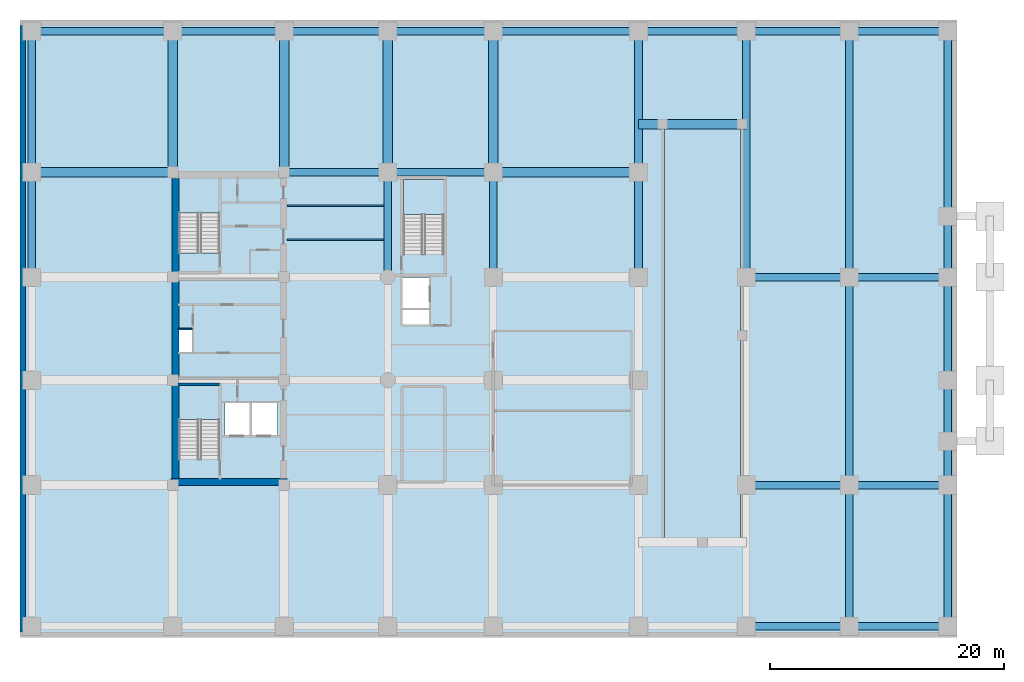
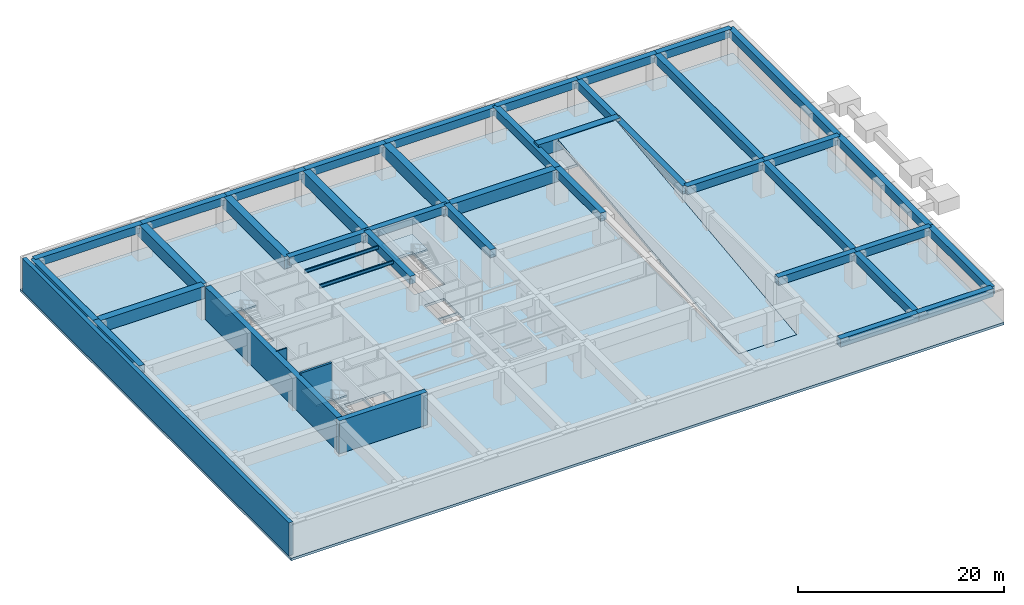
# One storey, part 2 of 7: 38 beams, 5 slabs, 5 walls, 3 elements without a shape of their own.
"""IFC4 building model written with IfcOpenShell, lengths in metres."""

from ifc_helpers import new_model, si_unit, direction, frame, frame_2d, origin, origin_2d, place, context, subcontext, project, spatial, polyline, rectangle, i_section, outline, extrude, material, layer, layer_set, material_profile, profile_set, type_object, element, aggregate, save


model = new_model("IFC4")

# Units and contexts
model_context = context("Model", 3, precision=1e-05, world=origin(), true_north=direction((0.0, 1.0)))
body_context = subcontext(model_context, "Body", "Model", "MODEL_VIEW")
ifc_project = project(units=[si_unit("LENGTHUNIT", "METRE"), si_unit("AREAUNIT", "SQUARE_METRE"), si_unit("VOLUMEUNIT", "CUBIC_METRE"), si_unit("PLANEANGLEUNIT", "RADIAN"), si_unit("MASSUNIT", "GRAM", prefix="KILO")], contexts=[model_context])

# Site, building, storey
site_placement = place(None, origin())
site = spatial("IfcSite", under=ifc_project, at=site_placement, CompositionType="ELEMENT")
building_placement = place(site_placement, origin())
building = spatial("IfcBuilding", under=site, at=building_placement, Name="Kundavana Baori Tower", CompositionType="ELEMENT")
storey_placement = place(building_placement, frame((0.0, 0.0, -4.199951171875)))
storey = spatial("IfcBuildingStorey", under=building, at=storey_placement, Name="B01", CompositionType="ELEMENT", Elevation=-4.199951171875)

# Beams
ifc_material_1 = material(Name="Structural Steel S355JR", Category="steel")
ifc_material_profile_1 = material_profile(ifc_material_1, i_section(OverallWidth=0.139892578125, OverallDepth=0.39990234375, WebThickness=0.0087890625, FlangeThickness=0.01611328125, FilletRadius=0.013916015625, at=origin_2d()), Name="ISMB 400")
ifc_profile_set_1 = profile_set([ifc_material_profile_1], Name="Structural Steel S355JR")
beam_type_1 = type_object("IfcBeamType", Name="BM-JST-400", PredefinedType="JOIST", material=ifc_profile_set_1)
for number, where, z_axis, x_axis, name in (
    (1, (25.179931640625, 36.199951171875, 3.699951171875), (1.0, 0.0, 0.0), (0.0, 1.0, 0.0), "B01 Central Bay Composite Floor Joist C3"),
    (2, (25.179931640625, 39.10009765625, 3.699951171875), (1.0, 0.0, 0.0), (0.0, 1.0, 0.0), "B01 Central Bay Composite Floor Joist C4"),
):
    element("IfcBeam", number, at=place(storey_placement, frame(where, z_axis=z_axis, x_axis=x_axis)), inside=storey, type_object=beam_type_1, Name=name, PredefinedType="JOIST", context=body_context, shape_type="SweptSolid", body=[
        extrude(i_section(OverallWidth=0.139892578125, OverallDepth=0.39990234375, WebThickness=0.0087890625, FlangeThickness=0.01611328125, FilletRadius=0.013916015625, at=origin_2d()), origin(), (0.0, 0.0, 1.0), 8.295166015625),
    ])
ifc_material_2 = material(Name="Concrete C50/60", Category="concrete")
ifc_material_profile_2 = material_profile(ifc_material_2, rectangle(XDim=0.64990234375, YDim=0.949951171875, at=origin_2d()), Name="RC BM 650x950")
ifc_profile_set_2 = profile_set([ifc_material_profile_2], Name="Concrete C50/60")
beam_type_2 = type_object("IfcBeamType", Name="BM-RC-950", PredefinedType="BEAM", material=ifc_profile_set_2)
beam_1_placement = place(storey_placement, frame((24.949951171875, 41.949951171875, 3.425048828125), z_axis=(1.0, 0.0, 0.0), x_axis=(0.0, 1.0, 0.0)))
element("IfcBeam", 3, at=beam_1_placement, inside=storey, type_object=beam_type_2, Name="B01 Primary Grid Girder GX-4-2", PredefinedType="BEAM", context=body_context, shape_type="SweptSolid", body=[
    extrude(rectangle(XDim=0.64990234375, YDim=0.949951171875, at=origin_2d()), origin(), (0.0, 0.0, 1.0), 8.85009765625),
])
beam_2_placement = place(storey_placement, frame((33.800048828125, 41.949951171875, 3.425048828125), z_axis=(1.0, 0.0, 0.0), x_axis=(0.0, 1.0, 0.0)))
element("IfcBeam", 4, at=beam_2_placement, inside=storey, type_object=beam_type_2, Name="B01 Primary Grid Girder GX-4-3", PredefinedType="BEAM", context=body_context, shape_type="SweptSolid", body=[
    extrude(rectangle(XDim=0.64990234375, YDim=0.949951171875, at=origin_2d()), origin(), (0.0, 0.0, 1.0), 9.0),
])
for number, where, z_axis, x_axis, name in (
    (5, (33.800048828125, 33.0, 3.425048828125), (0.0, 1.0, 0.0), (-1.0, 0.0, 0.0), "B01 Primary Grid Girder GY-3-3"),
    (6, (42.800048828125, 33.0, 3.425048828125), (0.0, 1.0, 0.0), (-1.0, 0.0, 0.0), "B01 Primary Grid Girder GY-4-3"),
):
    element("IfcBeam", number, at=place(storey_placement, frame(where, z_axis=z_axis, x_axis=x_axis)), inside=storey, type_object=beam_type_2, Name=name, PredefinedType="BEAM", context=body_context, shape_type="SweptSolid", body=[
        extrude(rectangle(XDim=0.64990234375, YDim=0.949951171875, at=origin_2d()), origin(), (0.0, 0.0, 1.0), 8.949951171875),
    ])
beam_3_placement = place(storey_placement, frame((55.199951171875, 54.0, 3.425048828125), z_axis=(1.0, 0.0, 0.0), x_axis=(0.0, 1.0, 0.0)))
element("IfcBeam", 7, at=beam_3_placement, inside=storey, type_object=beam_type_2, Name="B01 East Basement Wing Girder 1-4", PredefinedType="BEAM", context=body_context, shape_type="SweptSolid", body=[
    extrude(rectangle(XDim=0.64990234375, YDim=0.949951171875, at=origin_2d()), origin(), (0.0, 0.0, 1.0), 9.199951171875),
])
for number, where, z_axis, x_axis, name in (
    (8, (64.39990234375, 3.199951171875, 3.425048828125), (1.0, 0.0, 0.0), (0.0, 1.0, 0.0), "B01 East Basement Wing Girder 2-1"),
    (9, (64.39990234375, 15.25, 3.425048828125), (1.0, 0.0, 0.0), (0.0, 1.0, 0.0), "B01 East Basement Wing Girder 2-2"),
    (10, (64.39990234375, 33.0, 3.425048828125), (1.0, 0.0, 0.0), (0.0, 1.0, 0.0), "B01 East Basement Wing Girder 2-3"),
    (11, (64.39990234375, 54.0, 3.425048828125), (1.0, 0.0, 0.0), (0.0, 1.0, 0.0), "B01 East Basement Wing Girder 2-4"),
):
    element("IfcBeam", number, at=place(storey_placement, frame(where, z_axis=z_axis, x_axis=x_axis)), inside=storey, type_object=beam_type_2, Name=name, PredefinedType="BEAM", context=body_context, shape_type="SweptSolid", body=[
        extrude(rectangle(XDim=0.64990234375, YDim=0.949951171875, at=origin_2d()), origin(), (0.0, 0.0, 1.0), 8.800048828125),
    ])
for number, where, z_axis, x_axis, name in (
    (12, (73.199951171875, 3.199951171875, 3.425048828125), (1.0, 0.0, 0.0), (0.0, 1.0, 0.0), "B01 East Basement Wing Girder 3-1"),
    (13, (73.199951171875, 15.25, 3.425048828125), (1.0, 0.0, 0.0), (0.0, 1.0, 0.0), "B01 East Basement Wing Girder 3-2"),
    (14, (73.199951171875, 33.0, 3.425048828125), (1.0, 0.0, 0.0), (0.0, 1.0, 0.0), "B01 East Basement Wing Girder 3-3"),
    (15, (73.199951171875, 54.0, 3.425048828125), (1.0, 0.0, 0.0), (0.0, 1.0, 0.0), "B01 East Basement Wing Girder 3-4"),
):
    element("IfcBeam", number, at=place(storey_placement, frame(where, z_axis=z_axis, x_axis=x_axis)), inside=storey, type_object=beam_type_2, Name=name, PredefinedType="BEAM", context=body_context, shape_type="SweptSolid", body=[
        extrude(rectangle(XDim=0.64990234375, YDim=0.949951171875, at=origin_2d()), origin(), (0.0, 0.0, 1.0), 8.400146484375),
    ])
beam_4_placement = place(storey_placement, frame((64.39990234375, 33.0, 3.425048828125), z_axis=(0.0, 1.0, 0.0), x_axis=(-1.0, 0.0, 0.0)))
element("IfcBeam", 16, at=beam_4_placement, inside=storey, type_object=beam_type_2, Name="B01 East Wing Transverse Girder 1-3", PredefinedType="BEAM", context=body_context, shape_type="SweptSolid", body=[
    extrude(rectangle(XDim=0.64990234375, YDim=0.949951171875, at=origin_2d()), origin(), (0.0, 0.0, 1.0), 21.0),
])
beam_5_placement = place(storey_placement, frame((73.199951171875, 3.199951171875, 3.425048828125), z_axis=(0.0, 1.0, 0.0), x_axis=(-1.0, 0.0, 0.0)))
element("IfcBeam", 17, at=beam_5_placement, inside=storey, type_object=beam_type_2, Name="B01 East Wing Transverse Girder 2-1", PredefinedType="BEAM", context=body_context, shape_type="SweptSolid", body=[
    extrude(rectangle(XDim=0.64990234375, YDim=0.949951171875, at=origin_2d()), origin(), (0.0, 0.0, 1.0), 12.050048828125),
])
beam_6_placement = place(storey_placement, frame((73.199951171875, 15.25, 3.425048828125), z_axis=(0.0, 1.0, 0.0), x_axis=(-1.0, 0.0, 0.0)))
element("IfcBeam", 18, at=beam_6_placement, inside=storey, type_object=beam_type_2, Name="B01 East Wing Transverse Girder 2-2", PredefinedType="BEAM", context=body_context, shape_type="SweptSolid", body=[
    extrude(rectangle(XDim=0.64990234375, YDim=0.949951171875, at=origin_2d()), origin(), (0.0, 0.0, 1.0), 17.75),
])
beam_7_placement = place(storey_placement, frame((73.199951171875, 33.0, 3.425048828125), z_axis=(0.0, 1.0, 0.0), x_axis=(-1.0, 0.0, 0.0)))
element("IfcBeam", 19, at=beam_7_placement, inside=storey, type_object=beam_type_2, Name="B01 East Wing Transverse Girder 2-3", PredefinedType="BEAM", context=body_context, shape_type="SweptSolid", body=[
    extrude(rectangle(XDim=0.64990234375, YDim=0.949951171875, at=origin_2d()), origin(), (0.0, 0.0, 1.0), 21.0),
])
beam_8_placement = place(storey_placement, frame((81.60009765625, 3.199951171875, 3.425048828125), z_axis=(0.0, 1.0, 0.0), x_axis=(-1.0, 0.0, 0.0)))
element("IfcBeam", 20, at=beam_8_placement, inside=storey, type_object=beam_type_2, Name="B01 East Wing Transverse Girder 3-1", PredefinedType="BEAM", context=body_context, shape_type="SweptSolid", body=[
    extrude(rectangle(XDim=0.64990234375, YDim=0.949951171875, at=origin_2d()), origin(), (0.0, 0.0, 1.0), 12.050048828125),
])
beam_9_placement = place(storey_placement, frame((81.60009765625, 15.25, 3.425048828125), z_axis=(0.0, 1.0, 0.0), x_axis=(-1.0, 0.0, 0.0)))
element("IfcBeam", 21, at=beam_9_placement, inside=storey, type_object=beam_type_2, Name="B01 East Wing Transverse Girder 3-2", PredefinedType="BEAM", context=body_context, shape_type="SweptSolid", body=[
    extrude(rectangle(XDim=0.64990234375, YDim=0.949951171875, at=origin_2d()), origin(), (0.0, 0.0, 1.0), 17.75),
])
beam_10_placement = place(storey_placement, frame((81.60009765625, 33.0, 3.425048828125), z_axis=(0.0, 1.0, 0.0), x_axis=(-1.0, 0.0, 0.0)))
element("IfcBeam", 22, at=beam_10_placement, inside=storey, type_object=beam_type_2, Name="B01 East Wing Transverse Girder 3-3", PredefinedType="BEAM", context=body_context, shape_type="SweptSolid", body=[
    extrude(rectangle(XDim=0.64990234375, YDim=0.949951171875, at=origin_2d()), origin(), (0.0, 0.0, 1.0), 21.0),
])
beam_11_placement = place(storey_placement, frame((3.39990234375, 54.0, 3.425048828125), z_axis=(1.0, 0.0, 0.0), x_axis=(0.0, 1.0, 0.0)))
element("IfcBeam", 23, at=beam_11_placement, inside=storey, type_object=beam_type_2, Name="B01 Perimeter Frame Ring Beam N1", PredefinedType="BEAM", context=body_context, shape_type="SweptSolid", body=[
    extrude(rectangle(XDim=0.64990234375, YDim=0.949951171875, at=origin_2d()), origin(), (0.0, 0.0, 1.0), 12.050048828125),
])
beam_12_placement = place(storey_placement, frame((15.449951171875, 54.0, 3.425048828125), z_axis=(1.0, 0.0, 0.0), x_axis=(0.0, 1.0, 0.0)))
element("IfcBeam", 24, at=beam_12_placement, inside=storey, type_object=beam_type_2, Name="B01 Perimeter Frame Ring Beam N2", PredefinedType="BEAM", context=body_context, shape_type="SweptSolid", body=[
    extrude(rectangle(XDim=0.64990234375, YDim=0.949951171875, at=origin_2d()), origin(), (0.0, 0.0, 1.0), 9.5),
])
beam_13_placement = place(storey_placement, frame((24.949951171875, 54.0, 3.425048828125), z_axis=(1.0, 0.0, 0.0), x_axis=(0.0, 1.0, 0.0)))
element("IfcBeam", 25, at=beam_13_placement, inside=storey, type_object=beam_type_2, Name="B01 Perimeter Frame Ring Beam N3", PredefinedType="BEAM", context=body_context, shape_type="SweptSolid", body=[
    extrude(rectangle(XDim=0.64990234375, YDim=0.949951171875, at=origin_2d()), origin(), (0.0, 0.0, 1.0), 8.85009765625),
])
beam_14_placement = place(storey_placement, frame((33.800048828125, 54.0, 3.425048828125), z_axis=(1.0, 0.0, 0.0), x_axis=(0.0, 1.0, 0.0)))
element("IfcBeam", 26, at=beam_14_placement, inside=storey, type_object=beam_type_2, Name="B01 Perimeter Frame Ring Beam N4", PredefinedType="BEAM", context=body_context, shape_type="SweptSolid", body=[
    extrude(rectangle(XDim=0.64990234375, YDim=0.949951171875, at=origin_2d()), origin(), (0.0, 0.0, 1.0), 9.0),
])
beam_15_placement = place(storey_placement, frame((42.800048828125, 54.0, 3.425048828125), z_axis=(1.0, 0.0, 0.0), x_axis=(0.0, 1.0, 0.0)))
element("IfcBeam", 27, at=beam_15_placement, inside=storey, type_object=beam_type_2, Name="B01 Perimeter Frame Ring Beam N5", PredefinedType="BEAM", context=body_context, shape_type="SweptSolid", body=[
    extrude(rectangle(XDim=0.64990234375, YDim=0.949951171875, at=origin_2d()), origin(), (0.0, 0.0, 1.0), 12.39990234375),
])
for number, where, z_axis, x_axis, name in (
    (28, (3.39990234375, 33.0, 3.425048828125), (0.0, 1.0, 0.0), (-1.0, 0.0, 0.0), "B01 Perimeter Frame Ring Beam W3"),
    (29, (55.199951171875, 33.0, 3.425048828125), (0.0, 1.0, 0.0), (-1.0, 0.0, 0.0), "B01 Perimeter Frame Ring Beam E3"),
):
    element("IfcBeam", number, at=place(storey_placement, frame(where, z_axis=z_axis, x_axis=x_axis)), inside=storey, type_object=beam_type_2, Name=name, PredefinedType="BEAM", context=body_context, shape_type="SweptSolid", body=[
        extrude(rectangle(XDim=0.64990234375, YDim=0.949951171875, at=origin_2d()), origin(), (0.0, 0.0, 1.0), 8.949951171875),
    ])
for number, where, z_axis, x_axis, name in (
    (30, (3.39990234375, 54.0, 3.425048828125), (0.0, -1.0, 0.0), (1.0, 0.0, 0.0), "B01 Notched Corner Perimeter Beam NW"),
    (31, (55.199951171875, 54.0, 3.425048828125), (0.0, -1.0, 0.0), (1.0, 0.0, 0.0), "B01 Notched Corner Perimeter Beam NE"),
):
    element("IfcBeam", number, at=place(storey_placement, frame(where, z_axis=z_axis, x_axis=x_axis)), inside=storey, type_object=beam_type_2, Name=name, PredefinedType="BEAM", context=body_context, shape_type="SweptSolid", body=[
        extrude(rectangle(XDim=0.64990234375, YDim=0.949951171875, at=origin_2d()), origin(), (0.0, 0.0, 1.0), 12.050048828125),
    ])
ifc_material_3 = material(Name="Concrete C50/60", Category="concrete")
ifc_material_profile_3 = material_profile(ifc_material_3, rectangle(XDim=0.800048828125, YDim=1.449951171875, at=origin_2d()), Name="BM-TG-1")
ifc_profile_set_3 = profile_set([ifc_material_profile_3], Name="Concrete C50/60")
beam_type_3 = type_object("IfcBeamType", Name="BM-TG-1", PredefinedType="USERDEFINED", material=ifc_profile_set_3)
beam_16_placement = place(storey_placement, frame((55.199951171875, 46.06005859375, 3.474853515625), z_axis=(1.0, 0.0, 0.0), x_axis=(0.0, 1.0, 0.0)))
element("IfcBeam", 32, at=beam_16_placement, inside=storey, type_object=beam_type_3, Name="B01 Ramp Shaft North Transfer Girder", ObjectType="TRANSFER GIRDER", PredefinedType="USERDEFINED", context=body_context, shape_type="SweptSolid", body=[
    extrude(rectangle(XDim=0.800048828125, YDim=1.449951171875, at=origin_2d()), origin(), (0.0, 0.0, 1.0), 9.199951171875),
])
for number, where, z_axis, x_axis, name in (
    (33, (15.449951171875, 41.949951171875, 3.175048828125), (0.0, 1.0, 0.0), (-1.0, 0.0, 0.0), "B01 North Radial Transfer Girder N1"),
    (34, (24.949951171875, 41.949951171875, 3.175048828125), (0.0, 1.0, 0.0), (-1.0, 0.0, 0.0), "B01 North Radial Transfer Girder N2"),
    (35, (33.800048828125, 41.949951171875, 3.175048828125), (0.0, 1.0, 0.0), (-1.0, 0.0, 0.0), "B01 North Radial Transfer Girder N3"),
    (36, (42.800048828125, 41.949951171875, 3.175048828125), (0.0, 1.0, 0.0), (-1.0, 0.0, 0.0), "B01 North Radial Transfer Girder N4"),
    (37, (15.449951171875, 41.949951171875, 3.175048828125), (-1.0, 0.0, 0.0), (0.0, -1.0, 0.0), "B01 West Radial Transfer Girder W4"),
):
    element("IfcBeam", number, at=place(storey_placement, frame(where, z_axis=z_axis, x_axis=x_axis)), inside=storey, type_object=beam_type_3, Name=name, ObjectType="TRANSFER GIRDER", PredefinedType="USERDEFINED", context=body_context, shape_type="SweptSolid", body=[
        extrude(rectangle(XDim=0.800048828125, YDim=1.449951171875, at=origin_2d()), origin(), (0.0, 0.0, 1.0), 12.050048828125),
    ])
beam_17_placement = place(storey_placement, frame((42.800048828125, 41.949951171875, 3.175048828125), z_axis=(1.0, 0.0, 0.0), x_axis=(0.0, 1.0, 0.0)))
element("IfcBeam", 38, at=beam_17_placement, inside=storey, type_object=beam_type_3, Name="B01 East Radial Transfer Girder E4", ObjectType="TRANSFER GIRDER", PredefinedType="USERDEFINED", context=body_context, shape_type="SweptSolid", body=[
    extrude(rectangle(XDim=0.800048828125, YDim=1.449951171875, at=origin_2d()), origin(), (0.0, 0.0, 1.0), 12.39990234375),
])

# Slab
ifc_material_4 = material(Name="Concrete C40/50", Category="concrete")
ifc_layer_1 = layer(ifc_material_4, 0.300048828125, Name="SLB-FLR-300")
ifc_layer_set_1 = layer_set([ifc_layer_1], Name="Concrete C40/50")
slab_type_1 = type_object("IfcSlabType", Name="SLB-FLR-300", PredefinedType="FLOOR", material=ifc_layer_set_1)
slab_1_placement = place(storey_placement, frame((0.0, 0.0, -0.300048828125)))
element("IfcSlab", 39, at=slab_1_placement, inside=storey, type_object=slab_type_1, Name="B01 Structural Floor Slab", PredefinedType="FLOOR", context=body_context, shape_type="SweptSolid", body=[
    extrude(outline(polyline([(2.39990234375, 2.25), (82.39990234375, 2.25), (82.39990234375, 54.949951171875), (2.39990234375, 54.949951171875), (2.39990234375, 2.25)]), holes=[polyline([(19.43994140625, 17.4619140625), (19.43994140625, 23.85009765625), (15.97998046875, 23.85009765625), (15.97998046875, 17.4619140625), (19.43994140625, 17.4619140625)]), polyline([(19.43994140625, 35.06201171875), (19.43994140625, 41.449951171875), (15.97998046875, 41.449951171875), (15.97998046875, 35.06201171875), (19.43994140625, 35.06201171875)]), polyline([(38.580078125, 34.9619140625), (38.580078125, 41.35009765625), (35.1201171875, 41.35009765625), (35.1201171875, 34.9619140625), (38.580078125, 34.9619140625)]), polyline([(19.8798828125, 19.5), (22.02001953125, 19.5), (22.02001953125, 22.25), (19.8798828125, 22.25), (19.8798828125, 19.5)]), polyline([(22.179931640625, 19.5), (24.3798828125, 19.5), (24.3798828125, 22.25), (22.179931640625, 22.25), (22.179931640625, 19.5)]), polyline([(35.050048828125, 30.35009765625), (37.300048828125, 30.35009765625), (37.300048828125, 32.949951171875), (35.050048828125, 32.949951171875), (35.050048828125, 30.35009765625)]), polyline([(15.949951171875, 26.60009765625), (17.080078125, 26.60009765625), (17.080078125, 28.5), (15.949951171875, 28.5), (15.949951171875, 26.60009765625)]), polyline([(35.050048828125, 28.949951171875), (37.300048828125, 28.949951171875), (37.300048828125, 30.199951171875), (35.050048828125, 30.199951171875), (35.050048828125, 28.949951171875)]), polyline([(57.39990234375, 10.5), (63.89990234375, 10.5), (63.89990234375, 46.199951171875), (57.39990234375, 46.199951171875), (57.39990234375, 10.5)])]), origin(), (0.0, 0.0, 1.0), 0.300048828125),
])

# Stair, slab
ifc_material_5 = material(Name="Concrete C40/50", Category="concrete")
stair_type = type_object("IfcStairType", Name="STR-DOG-1650", PredefinedType="HALF_TURN_STAIR", material=ifc_material_5)
stair_1_placement = place(storey_placement, origin())
stair_1 = element("IfcStair", 40, at=stair_1_placement, inside=storey, type_object=stair_type, Name="B01 Protected Exit Stair ST1", PredefinedType="HALF_TURN_STAIR")
ifc_material_6 = material(Name="Concrete C40/50", Category="concrete")
ifc_layer_2 = layer(ifc_material_6, 0.199951171875, Name="SLB-LND-200")
ifc_layer_set_2 = layer_set([ifc_layer_2], Name="Concrete C40/50")
slab_type_2 = type_object("IfcSlabType", Name="SLB-LND-200", PredefinedType="LANDING", material=ifc_layer_set_2)
slab_2_placement = place(storey_placement, frame((0.0, 0.0, 1.89990234375)))
slab_2 = element("IfcSlab", 41, at=slab_2_placement, type_object=slab_type_2, Name="ST1 landing 1", PredefinedType="LANDING", context=body_context, shape_type="SweptSolid", body=[
    extrude(outline(polyline([(19.43994140625, 20.860107421875), (19.43994140625, 23.85009765625), (15.97998046875, 23.85009765625), (15.97998046875, 20.860107421875), (19.43994140625, 20.860107421875)])), origin(), (0.0, 0.0, 1.0), 0.199951171875),
])
aggregate(stair_1, [slab_2])

stair_2_placement = place(storey_placement, origin())
stair_2 = element("IfcStair", 42, at=stair_2_placement, inside=storey, type_object=stair_type, Name="B01 Protected Exit Stair ST2", PredefinedType="HALF_TURN_STAIR")
slab_3_placement = place(storey_placement, frame((0.0, 0.0, 1.89990234375)))
slab_3 = element("IfcSlab", 43, at=slab_3_placement, type_object=slab_type_2, Name="ST2 landing 1", PredefinedType="LANDING", context=body_context, shape_type="SweptSolid", body=[
    extrude(outline(polyline([(19.43994140625, 38.4599609375), (19.43994140625, 41.449951171875), (15.97998046875, 41.449951171875), (15.97998046875, 38.4599609375), (19.43994140625, 38.4599609375)])), origin(), (0.0, 0.0, 1.0), 0.199951171875),
])
aggregate(stair_2, [slab_3])

stair_3_placement = place(storey_placement, origin())
stair_3 = element("IfcStair", 44, at=stair_3_placement, inside=storey, type_object=stair_type, Name="B01 Protected Exit Stair ST3", PredefinedType="HALF_TURN_STAIR")
slab_4_placement = place(storey_placement, frame((0.0, 0.0, 1.89990234375)))
slab_4 = element("IfcSlab", 45, at=slab_4_placement, type_object=slab_type_2, Name="ST3 landing 1", PredefinedType="LANDING", context=body_context, shape_type="SweptSolid", body=[
    extrude(outline(polyline([(38.580078125, 38.360107421875), (38.580078125, 41.35009765625), (35.1201171875, 41.35009765625), (35.1201171875, 38.360107421875), (38.580078125, 38.360107421875)])), origin(), (0.0, 0.0, 1.0), 0.199951171875),
])
aggregate(stair_3, [slab_4])

# Slab
ifc_material_7 = material(Name="Concrete C50/60", Category="concrete")
ifc_layer_3 = layer(ifc_material_7, 0.300048828125, Name="SLB-VRMP-300")
ifc_layer_set_3 = layer_set([ifc_layer_3], Name="Concrete C50/60")
slab_type_3 = type_object("IfcSlabType", Name="SLB-VRMP-300", PredefinedType="FLOOR", material=ifc_layer_set_3)
slab_5_placement = place(storey_placement, frame((57.39990234375, 10.5, 0.0), z_axis=(0.0, -0.116840065369, 0.993150743404), x_axis=(1.0, 0.0, 0.0)))
element("IfcSlab", 46, at=slab_5_placement, inside=storey, type_object=slab_type_3, Name="Two-Way Basement Car Park Vehicle Ramp Slab B01", PredefinedType="FLOOR", context=body_context, shape_type="SweptSolid", body=[
    extrude(outline(polyline([(0.0, 0.0), (6.5, 0.0), (6.5, 35.94615561531432), (0.0, 35.94615561531432), (0.0, 0.0)])), origin(), (0.0, 0.0, -1.0), 0.300048828125),
])

# Walls
ifc_material_8 = material(Name="Concrete C50/60", Category="concrete")
ifc_layer_4 = layer(ifc_material_8, 0.39990234375, Name="WL-CORE-400")
ifc_layer_set_4 = layer_set([ifc_layer_4], Name="Concrete C50/60")
wall_type_1 = type_object("IfcWallType", Name="WL-CORE-400", PredefinedType="SHEAR", material=ifc_layer_set_4)
wall_1_placement = place(storey_placement, frame((15.89990234375, 23.860107421875, 0.0), z_axis=(0.0, 0.0, 1.0), x_axis=(1.0, 0.0, 0.0)))
element("IfcWall", 47, at=wall_1_placement, inside=storey, type_object=wall_type_1, Name="WL-B01-ST1-N", PredefinedType="SHEAR", context=body_context, shape_type="SweptSolid", body=[
    extrude(rectangle(XDim=3.52001953125, YDim=0.239990234375, at=frame_2d((1.760009765625, 0.0))), origin(), (0.0, 0.0, 1.0), 4.199951171875),
])
ifc_material_9 = material(Name="Concrete C60/75", Category="concrete")
ifc_layer_5 = layer(ifc_material_9, 0.60009765625, Name="WL-CORE-600")
ifc_layer_set_5 = layer_set([ifc_layer_5], Name="Concrete C60/75")
wall_type_2 = type_object("IfcWallType", Name="WL-CORE-600", PredefinedType="SHEAR", material=ifc_layer_set_5)
wall_2_placement = place(storey_placement, frame((15.300048828125, 15.510009765625, 0.0), z_axis=(0.0, 0.0, 1.0), x_axis=(1.0, 0.0, 0.0)))
element("IfcWall", 48, at=wall_2_placement, inside=storey, type_object=wall_type_2, Name="B01 Offset Core South Shear Wall", PredefinedType="SHEAR", context=body_context, shape_type="SweptSolid", body=[
    extrude(rectangle(XDim=9.8798828125, YDim=0.60009765625, at=frame_2d((4.93994140625, 0.0))), origin(), (0.0, 0.0, 1.0), 3.89990234375),
])
wall_3_placement = place(storey_placement, frame((15.68994140625, 15.81005859375, 0.0), z_axis=(0.0, 0.0, 1.0), x_axis=(0.0, 1.0, 0.0)))
element("IfcWall", 49, at=wall_3_placement, inside=storey, type_object=wall_type_2, Name="B01 Offset Core West Shear Wall", PredefinedType="SHEAR", context=body_context, shape_type="SweptSolid", body=[
    extrude(rectangle(XDim=25.6298828125, YDim=0.60009765625, at=frame_2d((12.81494140625, 0.0))), origin(), (0.0, 0.0, 1.0), 3.89990234375),
])
ifc_material_10 = material(Name="Acoustic Gypsum Plasterboard on Galvanised Steel Studs", Category="steel")
ifc_layer_6 = layer(ifc_material_10, 0.1201171875, Name="WL-PART-120")
ifc_layer_set_6 = layer_set([ifc_layer_6], Name="Acoustic Gypsum Plasterboard on Galvanised Steel Studs")
wall_type_3 = type_object("IfcWallType", Name="WL-PART-120", PredefinedType="PARTITIONING", material=ifc_layer_set_6)
wall_4_placement = place(storey_placement, frame((15.89990234375, 28.56005859375, 0.0), z_axis=(0.0, 0.0, 1.0), x_axis=(1.0, 0.0, 0.0)))
element("IfcWall", 50, at=wall_4_placement, inside=storey, type_object=wall_type_3, Name="WL-B01-RSRW-N", PredefinedType="PARTITIONING", context=body_context, shape_type="SweptSolid", body=[
    extrude(rectangle(XDim=1.2001953125, YDim=0.1201171875, at=frame_2d((0.60009765625, 0.0))), origin(), (0.0, 0.0, 1.0), 3.89990234375),
])
ifc_material_11 = material(Name="Concrete C40/50", Category="concrete")
ifc_layer_7 = layer(ifc_material_11, 0.449951171875, Name="WL-RET-450")
ifc_layer_set_7 = layer_set([ifc_layer_7], Name="Concrete C40/50")
wall_type_4 = type_object("IfcWallType", Name="WL-RET-450", PredefinedType="SHEAR", material=ifc_layer_set_7)
wall_5_placement = place(storey_placement, frame((2.625, 2.699951171875, 0.0), z_axis=(0.0, 0.0, 1.0), x_axis=(0.0, 1.0, 0.0)))
element("IfcWall", 51, at=wall_5_placement, inside=storey, type_object=wall_type_4, Name="B01 West Perimeter Retaining Wall", PredefinedType="SHEAR", context=body_context, shape_type="SweptSolid", body=[
    extrude(rectangle(XDim=51.800048828125, YDim=0.449951171875, at=frame_2d((25.89990234375, 0.0))), origin(), (0.0, 0.0, 1.0), 3.89990234375),
])

save(model, "model.ifc")
